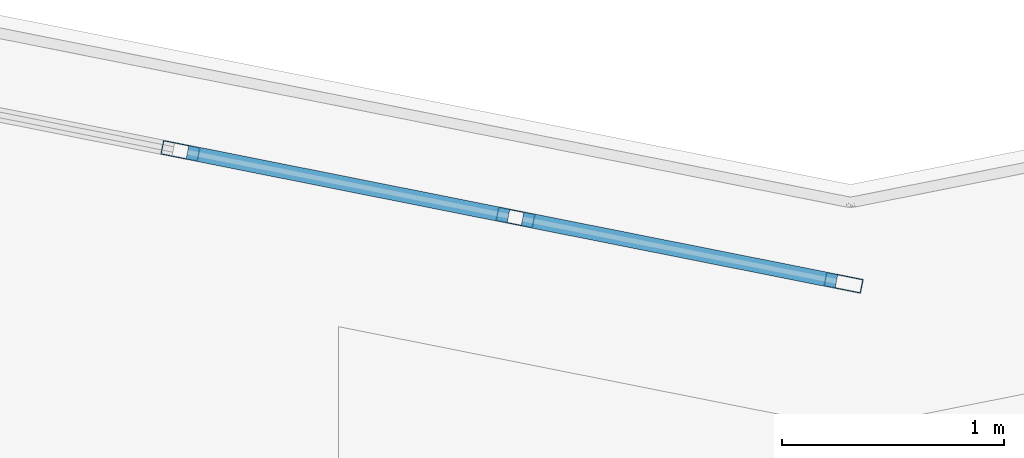
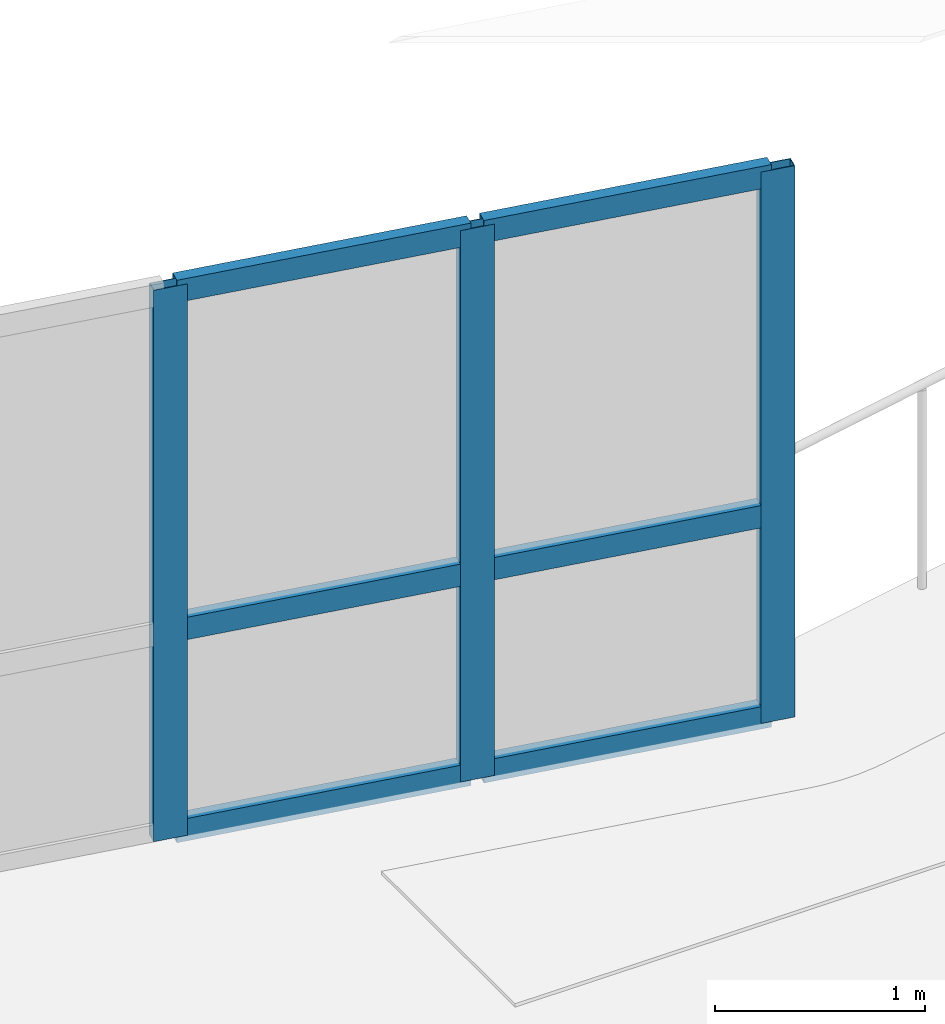
# One storey, part 15 of 104: 9 members, 1 element without a shape of its own.
"""IFC4 building model written with IfcOpenShell, lengths in metres."""

from ifc_helpers import new_model, si_unit, direction, frame, origin, origin_2d, place, context, subcontext, project, spatial, hollow_rectangle, extrude, material, layer, layer_set, material_profile, profile_set, type_object, element, aggregate, save


model = new_model("IFC4")

# Units and contexts
model_context = context("Model", 3, precision=1e-05, world=origin(), true_north=direction((0.0, 1.0)))
body_context = subcontext(model_context, "Body", "Model", "MODEL_VIEW")
ifc_project = project(units=[si_unit("LENGTHUNIT", "METRE"), si_unit("AREAUNIT", "SQUARE_METRE"), si_unit("VOLUMEUNIT", "CUBIC_METRE"), si_unit("PLANEANGLEUNIT", "RADIAN"), si_unit("MASSUNIT", "GRAM", prefix="KILO"), si_unit("THERMODYNAMICTEMPERATUREUNIT", "KELVIN")], contexts=[model_context])

# Site, building, storey
site_placement = place(None, origin())
site = spatial("IfcSite", under=ifc_project, at=site_placement, CompositionType="ELEMENT")
building_placement = place(site_placement, origin())
building = spatial("IfcBuilding", under=site, at=building_placement, Name="Lustrewick Department Store", CompositionType="ELEMENT")
storey_placement = place(building_placement, frame((0.0, 0.0, 11.39990234375)))
storey = spatial("IfcBuildingStorey", under=building, at=storey_placement, Name="L03", CompositionType="ELEMENT", Elevation=11.39990234375)

# Curtain wall, members
ifc_material = material(Name="Thermally broken aluminium 6063-T5", Category="aluminium")
ifc_layer = layer(ifc_material, 0.169921875, Name="Thermally broken aluminium 6063-T5")
ifc_layer_set = layer_set([ifc_layer], Name="Thermally broken aluminium 6063-T5")
curtain_wall_type = type_object("IfcCurtainWallType", Name="CW16", PredefinedType="NOTDEFINED", material=ifc_layer_set)
curtain_wall_placement = place(storey_placement, origin())
curtain_wall = element("IfcCurtainWall", 1, at=curtain_wall_placement, inside=storey, type_object=curtain_wall_type, Name="L03 Atrium Glazed Screen CW16", PredefinedType="NOTDEFINED")
ifc_material_profile_1 = material_profile(ifc_material, hollow_rectangle(XDim=0.06494140625, YDim=0.169921875, WallThickness=0.00390625, at=origin_2d()), Name="ALU-M 65x170x4")
ifc_profile_set_1 = profile_set([ifc_material_profile_1], Name="Thermally broken aluminium 6063-T5")
member_type_1 = type_object("IfcMemberType", Name="CW16-M1", PredefinedType="MULLION", material=ifc_profile_set_1)
member_1_placement = place(storey_placement, frame((26.376708984375, 55.951416015625, 0.0), z_axis=(0.0, 0.0, 1.0), x_axis=(0.195084537521, 0.980786430993, 0.0)))
member_1 = element("IfcMember", 2, at=member_1_placement, type_object=member_type_1, Name="CW16 mullion 2", PredefinedType="MULLION", context=body_context, shape_type="SweptSolid", body=[
    extrude(hollow_rectangle(XDim=0.06494140625, YDim=0.169921875, WallThickness=0.00390625, at=origin_2d()), origin(), (0.0, 0.0, 1.0), 3.2001953125),
])
member_2_placement = place(storey_placement, frame((27.888427734375, 55.650634765625, 0.0), z_axis=(0.0, 0.0, 1.0), x_axis=(0.195084537521, 0.980786430993, 0.0)))
member_2 = element("IfcMember", 3, at=member_2_placement, type_object=member_type_1, Name="CW16 mullion 3", PredefinedType="MULLION", context=body_context, shape_type="SweptSolid", body=[
    extrude(hollow_rectangle(XDim=0.06494140625, YDim=0.169921875, WallThickness=0.00390625, at=origin_2d()), origin(), (0.0, 0.0, 1.0), 3.2001953125),
])
member_3_placement = place(storey_placement, frame((29.3681640625, 55.3564453125, 0.0), z_axis=(0.0, 0.0, 1.0), x_axis=(0.195084537521, 0.980786430993, 0.0)))
member_3 = element("IfcMember", 4, at=member_3_placement, type_object=member_type_1, Name="CW16 mullion 4", PredefinedType="MULLION", context=body_context, shape_type="SweptSolid", body=[
    extrude(hollow_rectangle(XDim=0.06494140625, YDim=0.169921875, WallThickness=0.00390625, at=origin_2d()), origin(), (0.0, 0.0, 1.0), 3.2001953125),
])
ifc_material_profile_2 = material_profile(ifc_material, hollow_rectangle(XDim=0.06494140625, YDim=0.1298828125, WallThickness=0.00341796875, at=origin_2d()), Name="ALU-T 65x130x3.5")
ifc_profile_set_2 = profile_set([ifc_material_profile_2], Name="Thermally broken aluminium 6063-T5")
member_type_2 = type_object("IfcMemberType", Name="CW16-T1", PredefinedType="USERDEFINED", material=ifc_profile_set_2)
member_4_placement = place(storey_placement, frame((26.40869140625, 55.945068359375, 0.03271484375), z_axis=(0.980771047684, -0.195161861091, 0.0), x_axis=(0.195161861091, 0.980771047684, 0.0)))
member_4 = element("IfcMember", 5, at=member_4_placement, type_object=member_type_2, Name="CW16 transom 2.1", ObjectType="TRANSOM", PredefinedType="USERDEFINED", context=body_context, shape_type="SweptSolid", body=[
    extrude(hollow_rectangle(XDim=0.06494140625, YDim=0.1298828125, WallThickness=0.00341796875, at=origin_2d()), origin(), (0.0, 0.0, 1.0), 1.47607421875),
])
member_5_placement = place(storey_placement, frame((26.40869140625, 55.945068359375, 1.2001953125), z_axis=(0.980771047684, -0.195161861091, 0.0), x_axis=(0.195161861091, 0.980771047684, 0.0)))
member_5 = element("IfcMember", 6, at=member_5_placement, type_object=member_type_2, Name="CW16 transom 2.2", ObjectType="TRANSOM", PredefinedType="USERDEFINED", context=body_context, shape_type="SweptSolid", body=[
    extrude(hollow_rectangle(XDim=0.06494140625, YDim=0.1298828125, WallThickness=0.00341796875, at=origin_2d()), origin(), (0.0, 0.0, 1.0), 1.47607421875),
])
member_6_placement = place(storey_placement, frame((26.40869140625, 55.945068359375, 3.16748046875), z_axis=(0.980771047684, -0.195161861091, 0.0), x_axis=(0.195161861091, 0.980771047684, 0.0)))
member_6 = element("IfcMember", 7, at=member_6_placement, type_object=member_type_2, Name="CW16 transom 2.3", ObjectType="TRANSOM", PredefinedType="USERDEFINED", context=body_context, shape_type="SweptSolid", body=[
    extrude(hollow_rectangle(XDim=0.06494140625, YDim=0.1298828125, WallThickness=0.00341796875, at=origin_2d()), origin(), (0.0, 0.0, 1.0), 1.47607421875),
])
member_7_placement = place(storey_placement, frame((27.920166015625, 55.644287109375, 0.03271484375), z_axis=(0.980807656141, -0.19497779785, 0.0), x_axis=(0.19497779785, 0.980807656141, 0.0)))
member_7 = element("IfcMember", 8, at=member_7_placement, type_object=member_type_2, Name="CW16 transom 3.1", ObjectType="TRANSOM", PredefinedType="USERDEFINED", context=body_context, shape_type="SweptSolid", body=[
    extrude(hollow_rectangle(XDim=0.06494140625, YDim=0.1298828125, WallThickness=0.00341796875, at=origin_2d()), origin(), (0.0, 0.0, 1.0), 1.443603515625),
])
member_8_placement = place(storey_placement, frame((27.920166015625, 55.644287109375, 1.2001953125), z_axis=(0.980807656141, -0.19497779785, 0.0), x_axis=(0.19497779785, 0.980807656141, 0.0)))
member_8 = element("IfcMember", 9, at=member_8_placement, type_object=member_type_2, Name="CW16 transom 3.2", ObjectType="TRANSOM", PredefinedType="USERDEFINED", context=body_context, shape_type="SweptSolid", body=[
    extrude(hollow_rectangle(XDim=0.06494140625, YDim=0.1298828125, WallThickness=0.00341796875, at=origin_2d()), origin(), (0.0, 0.0, 1.0), 1.443603515625),
])
member_9_placement = place(storey_placement, frame((27.920166015625, 55.644287109375, 3.16748046875), z_axis=(0.980807656141, -0.19497779785, 0.0), x_axis=(0.19497779785, 0.980807656141, 0.0)))
member_9 = element("IfcMember", 10, at=member_9_placement, type_object=member_type_2, Name="CW16 transom 3.3", ObjectType="TRANSOM", PredefinedType="USERDEFINED", context=body_context, shape_type="SweptSolid", body=[
    extrude(hollow_rectangle(XDim=0.06494140625, YDim=0.1298828125, WallThickness=0.00341796875, at=origin_2d()), origin(), (0.0, 0.0, 1.0), 1.443603515625),
])
aggregate(curtain_wall, [member_1, member_2, member_3, member_4, member_5, member_6, member_7, member_8, member_9])

save(model, "model.ifc")
